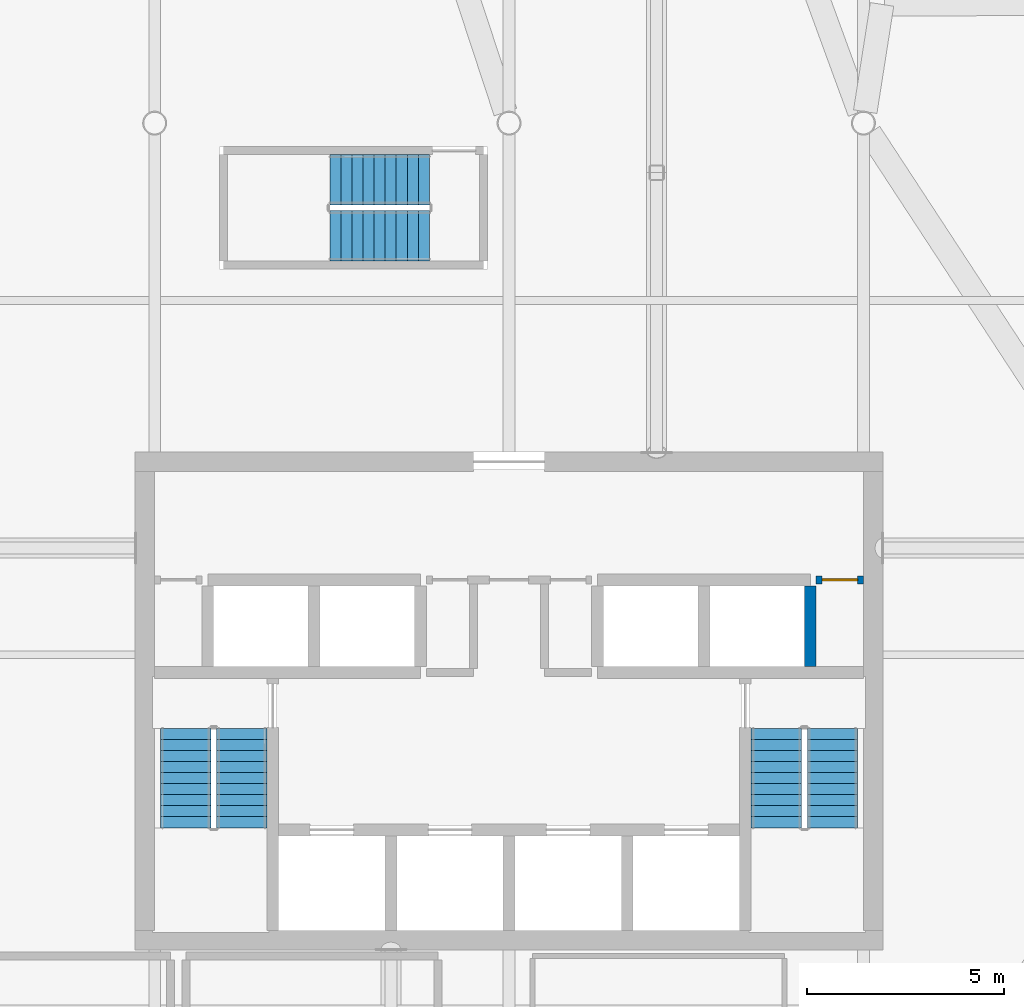
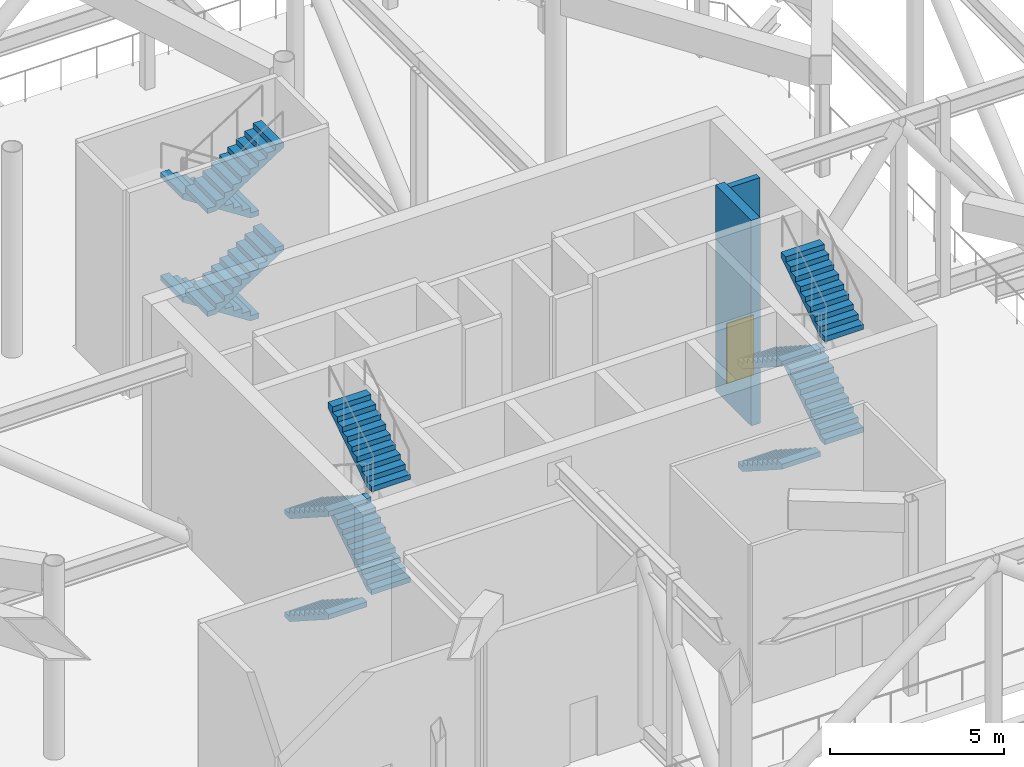
# One storey, part 12 of 17: 12 stair flights, 2 walls, 1 door, 1 opening, 3 elements without a shape of their own.
"""IFC4 building model written with IfcOpenShell, lengths in metres."""

from ifc_helpers import new_model, si_unit, direction, frame, frame_2d, origin, place, context, subcontext, project, spatial, polyline, rectangle, outline, extrude, material, layer, layer_set, type_object, element, fill, aggregate, save


model = new_model("IFC4")

# Units and contexts
model_context = context("Model", 3, precision=1e-05, world=origin(), true_north=direction((0.0, 1.0)))
body_context = subcontext(model_context, "Body", "Model", "MODEL_VIEW")
ifc_project = project(units=[si_unit("LENGTHUNIT", "METRE"), si_unit("AREAUNIT", "SQUARE_METRE"), si_unit("VOLUMEUNIT", "CUBIC_METRE"), si_unit("PLANEANGLEUNIT", "RADIAN"), si_unit("MASSUNIT", "GRAM", prefix="KILO")], contexts=[model_context])

# Site, building, storey
site_placement = place(None, origin())
site = spatial("IfcSite", under=ifc_project, at=site_placement, CompositionType="ELEMENT")
building_placement = place(site_placement, origin())
building = spatial("IfcBuilding", under=site, at=building_placement, Name="Tskaro Facet Tower", CompositionType="ELEMENT")
storey_placement = place(building_placement, frame((0.0, 0.0, 210.0)))
storey = spatial("IfcBuildingStorey", under=building, at=storey_placement, Name="L54", CompositionType="ELEMENT", Elevation=210.0)

# Wall
ifc_material_1 = material(Name="Concrete C60/75", Category="concrete")
ifc_layer_1 = layer(ifc_material_1, 0.300048828125, Name="Concrete C60/75")
ifc_layer_set_1 = layer_set([ifc_layer_1], Name="Concrete C60/75")
wall_type_1 = type_object("IfcWallType", Name="CORE-SHAFT", PredefinedType="SHEAR", material=ifc_layer_set_1)
wall_1_placement = place(storey_placement, frame((7.64990234375, -4.800048828125, 0.0), z_axis=(0.0, 0.0, 1.0), x_axis=(0.0, 1.0, 0.0)))
element("IfcWall", 1, at=wall_1_placement, inside=storey, type_object=wall_type_1, Name="Shaft wall W039", PredefinedType="SHEAR", context=body_context, shape_type="SweptSolid", body=[
    extrude(rectangle(XDim=2.050048828125, YDim=0.300048828125, at=frame_2d((1.02490234375, 0.0))), origin(), (0.0, 0.0, 1.0), 7.199951171875),
])

# Wall, opening, door
ifc_material_2 = material(Name="Concrete C20/25", Category="concrete")
ifc_layer_2 = layer(ifc_material_2, 0.199951171875, Name="Concrete C20/25")
ifc_layer_set_2 = layer_set([ifc_layer_2], Name="Concrete C20/25")
wall_type_2 = type_object("IfcWallType", Name="CORE-WALL", PredefinedType="SOLIDWALL", material=ifc_layer_set_2)
wall_2_placement = place(storey_placement, frame((9.0, -2.60009765625, 0.0), z_axis=(0.0, 0.0, 1.0), x_axis=(-1.0, 0.0, 0.0)))
wall_2 = element("IfcWall", 2, at=wall_2_placement, inside=storey, type_object=wall_type_2, Name="Core room wall W016", PredefinedType="SOLIDWALL", context=body_context, shape_type="SweptSolid", body=[
    extrude(rectangle(XDim=1.199951171875, YDim=0.199951171875, at=frame_2d((0.60009765625, 0.0))), origin(), (0.0, 0.0, 1.0), 6.89990234375),
])
opening_placement = place(wall_2_placement, frame((0.14990234375, 0.0, 0.0)))
opening = element("IfcOpeningElement", 3, at=opening_placement, cuts=wall_2, Name="Opening W54-D07", PredefinedType="OPENING", context=body_context, shape_type="SweptSolid", body=[
    extrude(rectangle(XDim=0.89990234375, YDim=2.10009765625, at=frame_2d((0.449951171875, 1.050048828125))), frame((0.0, 0.10986328125, 0.0), z_axis=(0.0, -1.0, 0.0), x_axis=(1.0, 0.0, 0.0)), (0.0, 0.0, 1.0), 0.219970703125),
])
ifc_material_3 = material(Name="Timber", Category="wood")
door_type = type_object("IfcDoorType", Name="D-ROOM", OperationType="NOTDEFINED", PredefinedType="DOOR", material=ifc_material_3)
door_placement = place(opening_placement, origin())
door = element("IfcDoor", 4, at=door_placement, inside=storey, type_object=door_type, Name="Door W54-D07", OperationType="SINGLE_SWING_RIGHT", OverallHeight=2.10009765625, OverallWidth=0.89990234375, PredefinedType="DOOR", context=body_context, shape_type="SweptSolid", body=[
    extrude(rectangle(XDim=0.89990234375, YDim=2.10009765625, at=frame_2d((0.449951171875, 1.050048828125))), frame((0.0, 0.02490234375, 0.0), z_axis=(0.0, -1.0, 0.0), x_axis=(1.0, 0.0, 0.0)), (0.0, 0.0, 1.0), 0.050048828125),
])
fill(opening, door)

# Stair, stair flights
ifc_material_4 = material(Name="Concrete C40/50", Category="concrete")
stair_type = type_object("IfcStairType", Name="ST-TWR", PredefinedType="HALF_TURN_STAIR", material=ifc_material_4)
stair_1_placement = place(storey_placement, origin())
stair_1 = element("IfcStair", 5, at=stair_1_placement, inside=storey, type_object=stair_type, Name="L54 Exit stair 1", PredefinedType="HALF_TURN_STAIR")
stair_flight_type = type_object("IfcStairFlightType", Name="SFL-RC", PredefinedType="STRAIGHT", material=ifc_material_4)
stair_flight_1_placement = place(storey_placement, frame((-8.21240234375, -6.375, 0.0), z_axis=(0.0, 0.0, 1.0), x_axis=(0.0, -1.0, 0.0)))
stair_flight_1 = element("IfcStairFlight", 6, at=stair_flight_1_placement, type_object=stair_flight_type, Name="ST-1 flight 1", NumberOfRisers=10, NumberOfTreads=9, PredefinedType="STRAIGHT", RiserHeight=0.18, TreadLength=0.28, context=body_context, shape_type="SweptSolid", body=[
    extrude(outline(polyline([(0.0, 0.0), (0.0, 0.179931640625), (0.280029296875, 0.179931640625), (0.280029296875, 0.360107421875), (0.56005859375, 0.360107421875), (0.56005859375, 0.5400390625), (0.840087890625, 0.5400390625), (0.840087890625, 0.719970703125), (1.1201171875, 0.719970703125), (1.1201171875, 0.89990234375), (1.39990234375, 0.89990234375), (1.39990234375, 1.080078125), (1.679931640625, 1.080078125), (1.679931640625, 1.260009765625), (1.9599609375, 1.260009765625), (1.9599609375, 1.43994140625), (2.239990234375, 1.43994140625), (2.239990234375, 1.6201171875), (2.52001953125, 1.6201171875), (2.52001953125, 1.800048828125), (2.52001953125, 1.44189453125), (0.277099609375, 0.0), (0.0, 0.0)])), frame((0.0, 0.637451171875, 0.0), z_axis=(0.0, -1.0, 0.0), x_axis=(1.0, 0.0, 0.0)), (0.0, 0.0, 1.0), 1.27490234375),
])
stair_flight_2_placement = place(storey_placement, frame((-6.78759765625, -8.89501953125, 1.800048828125), z_axis=(0.0, 0.0, 1.0), x_axis=(0.0, 1.0, 0.0)))
stair_flight_2 = element("IfcStairFlight", 7, at=stair_flight_2_placement, type_object=stair_flight_type, Name="ST-1 flight 2", NumberOfRisers=10, NumberOfTreads=9, PredefinedType="STRAIGHT", RiserHeight=0.18, TreadLength=0.28, context=body_context, shape_type="SweptSolid", body=[
    extrude(outline(polyline([(0.0, 0.0), (0.0, 0.179931640625), (0.280029296875, 0.179931640625), (0.280029296875, 0.360107421875), (0.56005859375, 0.360107421875), (0.56005859375, 0.5400390625), (0.840087890625, 0.5400390625), (0.840087890625, 0.719970703125), (1.1201171875, 0.719970703125), (1.1201171875, 0.89990234375), (1.39990234375, 0.89990234375), (1.39990234375, 1.080078125), (1.679931640625, 1.080078125), (1.679931640625, 1.260009765625), (1.9599609375, 1.260009765625), (1.9599609375, 1.43994140625), (2.239990234375, 1.43994140625), (2.239990234375, 1.6201171875), (2.52001953125, 1.6201171875), (2.52001953125, 1.800048828125), (2.52001953125, 1.44189453125), (0.277099609375, 0.0), (0.0, 0.0)])), frame((0.0, 0.637451171875, 0.0), z_axis=(0.0, -1.0, 0.0), x_axis=(1.0, 0.0, 0.0)), (0.0, 0.0, 1.0), 1.27490234375),
])
stair_flight_3_placement = place(storey_placement, frame((-8.21240234375, -6.375, 3.60009765625), z_axis=(0.0, 0.0, 1.0), x_axis=(0.0, -1.0, 0.0)))
stair_flight_3 = element("IfcStairFlight", 8, at=stair_flight_3_placement, type_object=stair_flight_type, Name="ST-1 flight 3", NumberOfRisers=10, NumberOfTreads=9, PredefinedType="STRAIGHT", RiserHeight=0.18, TreadLength=0.28, context=body_context, shape_type="SweptSolid", body=[
    extrude(outline(polyline([(0.0, 0.0), (0.0, 0.179931640625), (0.280029296875, 0.179931640625), (0.280029296875, 0.360107421875), (0.56005859375, 0.360107421875), (0.56005859375, 0.5400390625), (0.840087890625, 0.5400390625), (0.840087890625, 0.719970703125), (1.1201171875, 0.719970703125), (1.1201171875, 0.89990234375), (1.39990234375, 0.89990234375), (1.39990234375, 1.080078125), (1.679931640625, 1.080078125), (1.679931640625, 1.260009765625), (1.9599609375, 1.260009765625), (1.9599609375, 1.43994140625), (2.239990234375, 1.43994140625), (2.239990234375, 1.6201171875), (2.52001953125, 1.6201171875), (2.52001953125, 1.800048828125), (2.52001953125, 1.44189453125), (0.277099609375, 0.0), (0.0, 0.0)])), frame((0.0, 0.637451171875, 0.0), z_axis=(0.0, -1.0, 0.0), x_axis=(1.0, 0.0, 0.0)), (0.0, 0.0, 1.0), 1.27490234375),
])
stair_flight_4_placement = place(storey_placement, frame((-6.78759765625, -8.89501953125, 5.39990234375), z_axis=(0.0, 0.0, 1.0), x_axis=(0.0, 1.0, 0.0)))
stair_flight_4 = element("IfcStairFlight", 9, at=stair_flight_4_placement, type_object=stair_flight_type, Name="ST-1 flight 4", NumberOfRisers=10, NumberOfTreads=9, PredefinedType="STRAIGHT", RiserHeight=0.18, TreadLength=0.28, context=body_context, shape_type="SweptSolid", body=[
    extrude(outline(polyline([(0.0, 0.0), (0.0, 0.179931640625), (0.280029296875, 0.179931640625), (0.280029296875, 0.360107421875), (0.56005859375, 0.360107421875), (0.56005859375, 0.5400390625), (0.840087890625, 0.5400390625), (0.840087890625, 0.719970703125), (1.1201171875, 0.719970703125), (1.1201171875, 0.89990234375), (1.39990234375, 0.89990234375), (1.39990234375, 1.080078125), (1.679931640625, 1.080078125), (1.679931640625, 1.260009765625), (1.9599609375, 1.260009765625), (1.9599609375, 1.43994140625), (2.239990234375, 1.43994140625), (2.239990234375, 1.6201171875), (2.52001953125, 1.6201171875), (2.52001953125, 1.800048828125), (2.52001953125, 1.44189453125), (0.277099609375, 0.0), (0.0, 0.0)])), frame((0.0, 0.637451171875, 0.0), z_axis=(0.0, -1.0, 0.0), x_axis=(1.0, 0.0, 0.0)), (0.0, 0.0, 1.0), 1.27490234375),
])
aggregate(stair_1, [stair_flight_1, stair_flight_2, stair_flight_3, stair_flight_4])

stair_2_placement = place(storey_placement, origin())
stair_2 = element("IfcStair", 10, at=stair_2_placement, inside=storey, type_object=stair_type, Name="L54 Exit stair 2", PredefinedType="HALF_TURN_STAIR")
stair_flight_5_placement = place(storey_placement, frame((6.78759765625, -6.375, 0.0), z_axis=(0.0, 0.0, 1.0), x_axis=(0.0, -1.0, 0.0)))
stair_flight_5 = element("IfcStairFlight", 11, at=stair_flight_5_placement, type_object=stair_flight_type, Name="ST-2 flight 1", NumberOfRisers=10, NumberOfTreads=9, PredefinedType="STRAIGHT", RiserHeight=0.18, TreadLength=0.28, context=body_context, shape_type="SweptSolid", body=[
    extrude(outline(polyline([(0.0, 0.0), (0.0, 0.179931640625), (0.280029296875, 0.179931640625), (0.280029296875, 0.360107421875), (0.56005859375, 0.360107421875), (0.56005859375, 0.5400390625), (0.840087890625, 0.5400390625), (0.840087890625, 0.719970703125), (1.1201171875, 0.719970703125), (1.1201171875, 0.89990234375), (1.39990234375, 0.89990234375), (1.39990234375, 1.080078125), (1.679931640625, 1.080078125), (1.679931640625, 1.260009765625), (1.9599609375, 1.260009765625), (1.9599609375, 1.43994140625), (2.239990234375, 1.43994140625), (2.239990234375, 1.6201171875), (2.52001953125, 1.6201171875), (2.52001953125, 1.800048828125), (2.52001953125, 1.44189453125), (0.277099609375, 0.0), (0.0, 0.0)])), frame((0.0, 0.637451171875, 0.0), z_axis=(0.0, -1.0, 0.0), x_axis=(1.0, 0.0, 0.0)), (0.0, 0.0, 1.0), 1.27490234375),
])
stair_flight_6_placement = place(storey_placement, frame((8.21240234375, -8.89501953125, 1.800048828125), z_axis=(0.0, 0.0, 1.0), x_axis=(0.0, 1.0, 0.0)))
stair_flight_6 = element("IfcStairFlight", 12, at=stair_flight_6_placement, type_object=stair_flight_type, Name="ST-2 flight 2", NumberOfRisers=10, NumberOfTreads=9, PredefinedType="STRAIGHT", RiserHeight=0.18, TreadLength=0.28, context=body_context, shape_type="SweptSolid", body=[
    extrude(outline(polyline([(0.0, 0.0), (0.0, 0.179931640625), (0.280029296875, 0.179931640625), (0.280029296875, 0.360107421875), (0.56005859375, 0.360107421875), (0.56005859375, 0.5400390625), (0.840087890625, 0.5400390625), (0.840087890625, 0.719970703125), (1.1201171875, 0.719970703125), (1.1201171875, 0.89990234375), (1.39990234375, 0.89990234375), (1.39990234375, 1.080078125), (1.679931640625, 1.080078125), (1.679931640625, 1.260009765625), (1.9599609375, 1.260009765625), (1.9599609375, 1.43994140625), (2.239990234375, 1.43994140625), (2.239990234375, 1.6201171875), (2.52001953125, 1.6201171875), (2.52001953125, 1.800048828125), (2.52001953125, 1.44189453125), (0.277099609375, 0.0), (0.0, 0.0)])), frame((0.0, 0.637451171875, 0.0), z_axis=(0.0, -1.0, 0.0), x_axis=(1.0, 0.0, 0.0)), (0.0, 0.0, 1.0), 1.27490234375),
])
stair_flight_7_placement = place(storey_placement, frame((6.78759765625, -6.375, 3.60009765625), z_axis=(0.0, 0.0, 1.0), x_axis=(0.0, -1.0, 0.0)))
stair_flight_7 = element("IfcStairFlight", 13, at=stair_flight_7_placement, type_object=stair_flight_type, Name="ST-2 flight 3", NumberOfRisers=10, NumberOfTreads=9, PredefinedType="STRAIGHT", RiserHeight=0.18, TreadLength=0.28, context=body_context, shape_type="SweptSolid", body=[
    extrude(outline(polyline([(0.0, 0.0), (0.0, 0.179931640625), (0.280029296875, 0.179931640625), (0.280029296875, 0.360107421875), (0.56005859375, 0.360107421875), (0.56005859375, 0.5400390625), (0.840087890625, 0.5400390625), (0.840087890625, 0.719970703125), (1.1201171875, 0.719970703125), (1.1201171875, 0.89990234375), (1.39990234375, 0.89990234375), (1.39990234375, 1.080078125), (1.679931640625, 1.080078125), (1.679931640625, 1.260009765625), (1.9599609375, 1.260009765625), (1.9599609375, 1.43994140625), (2.239990234375, 1.43994140625), (2.239990234375, 1.6201171875), (2.52001953125, 1.6201171875), (2.52001953125, 1.800048828125), (2.52001953125, 1.44189453125), (0.277099609375, 0.0), (0.0, 0.0)])), frame((0.0, 0.637451171875, 0.0), z_axis=(0.0, -1.0, 0.0), x_axis=(1.0, 0.0, 0.0)), (0.0, 0.0, 1.0), 1.27490234375),
])
stair_flight_8_placement = place(storey_placement, frame((8.21240234375, -8.89501953125, 5.39990234375), z_axis=(0.0, 0.0, 1.0), x_axis=(0.0, 1.0, 0.0)))
stair_flight_8 = element("IfcStairFlight", 14, at=stair_flight_8_placement, type_object=stair_flight_type, Name="ST-2 flight 4", NumberOfRisers=10, NumberOfTreads=9, PredefinedType="STRAIGHT", RiserHeight=0.18, TreadLength=0.28, context=body_context, shape_type="SweptSolid", body=[
    extrude(outline(polyline([(0.0, 0.0), (0.0, 0.179931640625), (0.280029296875, 0.179931640625), (0.280029296875, 0.360107421875), (0.56005859375, 0.360107421875), (0.56005859375, 0.5400390625), (0.840087890625, 0.5400390625), (0.840087890625, 0.719970703125), (1.1201171875, 0.719970703125), (1.1201171875, 0.89990234375), (1.39990234375, 0.89990234375), (1.39990234375, 1.080078125), (1.679931640625, 1.080078125), (1.679931640625, 1.260009765625), (1.9599609375, 1.260009765625), (1.9599609375, 1.43994140625), (2.239990234375, 1.43994140625), (2.239990234375, 1.6201171875), (2.52001953125, 1.6201171875), (2.52001953125, 1.800048828125), (2.52001953125, 1.44189453125), (0.277099609375, 0.0), (0.0, 0.0)])), frame((0.0, 0.637451171875, 0.0), z_axis=(0.0, -1.0, 0.0), x_axis=(1.0, 0.0, 0.0)), (0.0, 0.0, 1.0), 1.27490234375),
])
aggregate(stair_2, [stair_flight_5, stair_flight_6, stair_flight_7, stair_flight_8])

stair_3_placement = place(storey_placement, origin())
stair_3 = element("IfcStair", 15, at=stair_3_placement, inside=storey, type_object=stair_type, Name="L54 Exit stair 3", PredefinedType="HALF_TURN_STAIR")
stair_flight_9_placement = place(storey_placement, frame((-2.02490234375, 7.5625, 0.0), z_axis=(0.0, 0.0, 1.0), x_axis=(-1.0, 0.0, 0.0)))
stair_flight_9 = element("IfcStairFlight", 16, at=stair_flight_9_placement, type_object=stair_flight_type, Name="ST-3 flight 1", NumberOfRisers=10, NumberOfTreads=9, PredefinedType="STRAIGHT", RiserHeight=0.18, TreadLength=0.28, context=body_context, shape_type="SweptSolid", body=[
    extrude(outline(polyline([(0.0, 0.0), (0.0, 0.179931640625), (0.280029296875, 0.179931640625), (0.280029296875, 0.360107421875), (0.56005859375, 0.360107421875), (0.56005859375, 0.5400390625), (0.840087890625, 0.5400390625), (0.840087890625, 0.719970703125), (1.1201171875, 0.719970703125), (1.1201171875, 0.89990234375), (1.39990234375, 0.89990234375), (1.39990234375, 1.080078125), (1.679931640625, 1.080078125), (1.679931640625, 1.260009765625), (1.9599609375, 1.260009765625), (1.9599609375, 1.43994140625), (2.239990234375, 1.43994140625), (2.239990234375, 1.6201171875), (2.52001953125, 1.6201171875), (2.52001953125, 1.800048828125), (2.52001953125, 1.44189453125), (0.277099609375, 0.0), (0.0, 0.0)])), frame((0.0, 0.637451171875, 0.0), z_axis=(0.0, -1.0, 0.0), x_axis=(1.0, 0.0, 0.0)), (0.0, 0.0, 1.0), 1.27490234375),
])
stair_flight_10_placement = place(storey_placement, frame((-4.544921875, 6.137451171875, 1.800048828125), z_axis=(0.0, 0.0, 1.0), x_axis=(1.0, 0.0, 0.0)))
stair_flight_10 = element("IfcStairFlight", 17, at=stair_flight_10_placement, type_object=stair_flight_type, Name="ST-3 flight 2", NumberOfRisers=10, NumberOfTreads=9, PredefinedType="STRAIGHT", RiserHeight=0.18, TreadLength=0.28, context=body_context, shape_type="SweptSolid", body=[
    extrude(outline(polyline([(0.0, 0.0), (0.0, 0.179931640625), (0.280029296875, 0.179931640625), (0.280029296875, 0.360107421875), (0.56005859375, 0.360107421875), (0.56005859375, 0.5400390625), (0.840087890625, 0.5400390625), (0.840087890625, 0.719970703125), (1.1201171875, 0.719970703125), (1.1201171875, 0.89990234375), (1.39990234375, 0.89990234375), (1.39990234375, 1.080078125), (1.679931640625, 1.080078125), (1.679931640625, 1.260009765625), (1.9599609375, 1.260009765625), (1.9599609375, 1.43994140625), (2.239990234375, 1.43994140625), (2.239990234375, 1.6201171875), (2.52001953125, 1.6201171875), (2.52001953125, 1.800048828125), (2.52001953125, 1.44189453125), (0.277099609375, 0.0), (0.0, 0.0)])), frame((0.0, 0.637451171875, 0.0), z_axis=(0.0, -1.0, 0.0), x_axis=(1.0, 0.0, 0.0)), (0.0, 0.0, 1.0), 1.27490234375),
])
stair_flight_11_placement = place(storey_placement, frame((-2.02490234375, 7.5625, 3.60009765625), z_axis=(0.0, 0.0, 1.0), x_axis=(-1.0, 0.0, 0.0)))
stair_flight_11 = element("IfcStairFlight", 18, at=stair_flight_11_placement, type_object=stair_flight_type, Name="ST-3 flight 3", NumberOfRisers=10, NumberOfTreads=9, PredefinedType="STRAIGHT", RiserHeight=0.18, TreadLength=0.28, context=body_context, shape_type="SweptSolid", body=[
    extrude(outline(polyline([(0.0, 0.0), (0.0, 0.179931640625), (0.280029296875, 0.179931640625), (0.280029296875, 0.360107421875), (0.56005859375, 0.360107421875), (0.56005859375, 0.5400390625), (0.840087890625, 0.5400390625), (0.840087890625, 0.719970703125), (1.1201171875, 0.719970703125), (1.1201171875, 0.89990234375), (1.39990234375, 0.89990234375), (1.39990234375, 1.080078125), (1.679931640625, 1.080078125), (1.679931640625, 1.260009765625), (1.9599609375, 1.260009765625), (1.9599609375, 1.43994140625), (2.239990234375, 1.43994140625), (2.239990234375, 1.6201171875), (2.52001953125, 1.6201171875), (2.52001953125, 1.800048828125), (2.52001953125, 1.44189453125), (0.277099609375, 0.0), (0.0, 0.0)])), frame((0.0, 0.637451171875, 0.0), z_axis=(0.0, -1.0, 0.0), x_axis=(1.0, 0.0, 0.0)), (0.0, 0.0, 1.0), 1.27490234375),
])
stair_flight_12_placement = place(storey_placement, frame((-4.544921875, 6.137451171875, 5.39990234375), z_axis=(0.0, 0.0, 1.0), x_axis=(1.0, 0.0, 0.0)))
stair_flight_12 = element("IfcStairFlight", 19, at=stair_flight_12_placement, type_object=stair_flight_type, Name="ST-3 flight 4", NumberOfRisers=10, NumberOfTreads=9, PredefinedType="STRAIGHT", RiserHeight=0.18, TreadLength=0.28, context=body_context, shape_type="SweptSolid", body=[
    extrude(outline(polyline([(0.0, 0.0), (0.0, 0.179931640625), (0.280029296875, 0.179931640625), (0.280029296875, 0.360107421875), (0.56005859375, 0.360107421875), (0.56005859375, 0.5400390625), (0.840087890625, 0.5400390625), (0.840087890625, 0.719970703125), (1.1201171875, 0.719970703125), (1.1201171875, 0.89990234375), (1.39990234375, 0.89990234375), (1.39990234375, 1.080078125), (1.679931640625, 1.080078125), (1.679931640625, 1.260009765625), (1.9599609375, 1.260009765625), (1.9599609375, 1.43994140625), (2.239990234375, 1.43994140625), (2.239990234375, 1.6201171875), (2.52001953125, 1.6201171875), (2.52001953125, 1.800048828125), (2.52001953125, 1.44189453125), (0.277099609375, 0.0), (0.0, 0.0)])), frame((0.0, 0.637451171875, 0.0), z_axis=(0.0, -1.0, 0.0), x_axis=(1.0, 0.0, 0.0)), (0.0, 0.0, 1.0), 1.27490234375),
])
aggregate(stair_3, [stair_flight_9, stair_flight_10, stair_flight_11, stair_flight_12])

save(model, "model.ifc")
